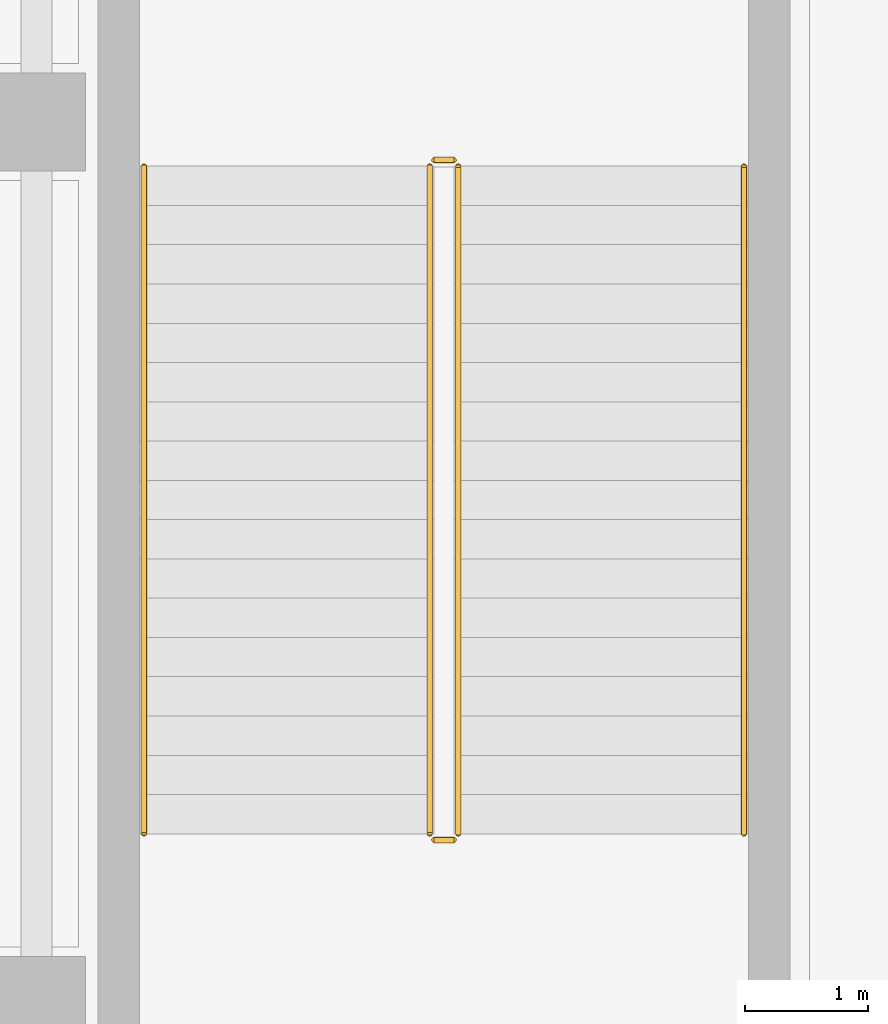
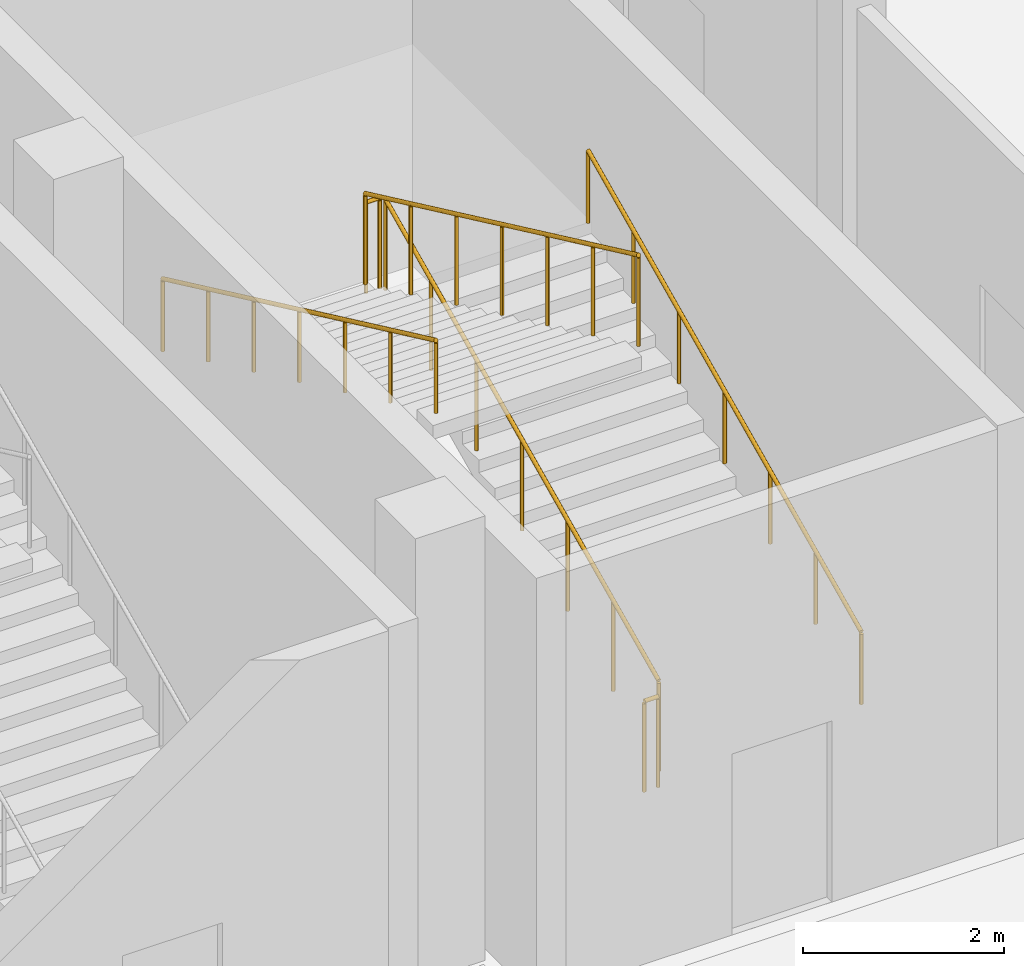
# One storey, part 135 of 137: 6 railings.
"""IFC4 building model written with IfcOpenShell, lengths in metres."""

from ifc_helpers import new_model, si_unit, direction, frame, origin, origin_2d, place, context, subcontext, project, spatial, circle, extrude, material, layer, layer_set, type_object, element, save


model = new_model("IFC4")

# Units and contexts
model_context = context("Model", 3, precision=1e-05, world=origin(), true_north=direction((0.0, 1.0)))
body_context = subcontext(model_context, "Body", "Model", "MODEL_VIEW")
ifc_project = project(units=[si_unit("LENGTHUNIT", "METRE"), si_unit("AREAUNIT", "SQUARE_METRE"), si_unit("VOLUMEUNIT", "CUBIC_METRE"), si_unit("PLANEANGLEUNIT", "RADIAN"), si_unit("MASSUNIT", "GRAM", prefix="KILO")], contexts=[model_context])

# Site, building, storey
site_placement = place(None, origin())
site = spatial("IfcSite", under=ifc_project, at=site_placement, CompositionType="ELEMENT")
building_placement = place(site_placement, origin())
building = spatial("IfcBuilding", under=site, at=building_placement, Name="Celestram Park Convention Centre", CompositionType="ELEMENT")
storey_placement = place(building_placement, origin())
storey = spatial("IfcBuildingStorey", under=building, at=storey_placement, Name="L00", CompositionType="ELEMENT", Elevation=0.0)

# Railings
ifc_material_1 = material(Name="Stainless Steel AISI 316L & Laminated Glass", Category="steel")
ifc_layer_1 = layer(ifc_material_1, 0.06005859375)
ifc_layer_set_1 = layer_set([ifc_layer_1], Name="Stainless Steel AISI 316L & Laminated Glass")
railing_type_1 = type_object("IfcRailingType", Name="ARC-RL-GRD1120", PredefinedType="GUARDRAIL", material=ifc_layer_set_1)
railing_1_placement = place(storey_placement, frame((147.43603515625, 152.60009765625, 0.14990234375)))
element("IfcRailing", 1, at=railing_1_placement, inside=storey, type_object=railing_type_1, Name="L00 ST-09 stair guard 1", PredefinedType="GUARDRAIL", context=body_context, shape_type="SweptSolid", body=[
    extrude(circle(Radius=0.02392578125, at=origin_2d()), frame((0.0, 0.0, 1.09619140625), z_axis=(0.0, 0.90545405566, 0.424444287379), x_axis=(-1.0, 0.0, 0.0)), (0.0, 0.0, 1.0), 6.008056640625),
    extrude(circle(Radius=0.02099609375, at=origin_2d()), origin(), (0.0, 0.0, 1.0), 1.072021484375),
    extrude(circle(Radius=0.02099609375, at=origin_2d()), frame((0.0, 0.90673828125, 0.425048828125)), (0.0, 0.0, 1.0), 1.072021484375),
    extrude(circle(Radius=0.02099609375, at=origin_2d()), frame((0.0, 1.813232421875, 0.85009765625)), (0.0, 0.0, 1.0), 1.072021484375),
    extrude(circle(Radius=0.02099609375, at=origin_2d()), frame((0.0, 2.719970703125, 1.27490234375)), (0.0, 0.0, 1.0), 1.072021484375),
    extrude(circle(Radius=0.02099609375, at=origin_2d()), frame((0.0, 3.626708984375, 1.699951171875)), (0.0, 0.0, 1.0), 1.072021484375),
    extrude(circle(Radius=0.02099609375, at=origin_2d()), frame((0.0, 4.533203125, 2.125)), (0.0, 0.0, 1.0), 1.072021484375),
    extrude(circle(Radius=0.02099609375, at=origin_2d()), frame((0.0, 5.43994140625, 2.550048828125)), (0.0, 0.0, 1.0), 1.072021484375),
])
railing_2_placement = place(storey_placement, frame((147.39990234375, 158.090087890625, 2.699951171875)))
element("IfcRailing", 2, at=railing_2_placement, inside=storey, type_object=railing_type_1, Name="L00 ST-09 stair guard 2", PredefinedType="GUARDRAIL", context=body_context, shape_type="SweptSolid", body=[
    extrude(circle(Radius=0.02392578125, at=origin_2d()), frame((0.0, 0.0, 1.09619140625), z_axis=(-1.0, 0.0, 0.0), x_axis=(0.0, -1.0, 0.0)), (0.0, 0.0, 1.0), 0.159912109375),
    extrude(circle(Radius=0.02099609375, at=origin_2d()), origin(), (0.0, 0.0, 1.0), 1.072021484375),
    extrude(circle(Radius=0.02099609375, at=origin_2d()), frame((-0.159912109375, 0.0, 0.0)), (0.0, 0.0, 1.0), 1.072021484375),
])
railing_3_placement = place(storey_placement, frame((147.2041015625, 158.0400390625, 2.85009765625)))
element("IfcRailing", 3, at=railing_3_placement, inside=storey, type_object=railing_type_1, Name="L00 ST-09 stair guard 3", PredefinedType="GUARDRAIL", context=body_context, shape_type="SweptSolid", body=[
    extrude(circle(Radius=0.02392578125, at=origin_2d()), frame((0.0, 0.0, 1.09619140625), z_axis=(0.0, -0.90546967238, 0.424410971113), x_axis=(1.0, 0.0, 0.0)), (0.0, 0.0, 1.0), 6.0078125),
    extrude(circle(Radius=0.02099609375, at=origin_2d()), origin(), (0.0, 0.0, 1.0), 1.072021484375),
    extrude(circle(Radius=0.02099609375, at=origin_2d()), frame((0.0, -0.90673828125, 0.425048828125)), (0.0, 0.0, 1.0), 1.072021484375),
    extrude(circle(Radius=0.02099609375, at=origin_2d()), frame((0.0, -1.813232421875, 0.849853515625)), (0.0, 0.0, 1.0), 1.072021484375),
    extrude(circle(Radius=0.02099609375, at=origin_2d()), frame((0.0, -2.719970703125, 1.27490234375)), (0.0, 0.0, 1.0), 1.072021484375),
    extrude(circle(Radius=0.02099609375, at=origin_2d()), frame((0.0, -3.626708984375, 1.699951171875)), (0.0, 0.0, 1.0), 1.072021484375),
    extrude(circle(Radius=0.02099609375, at=origin_2d()), frame((0.0, -4.533203125, 2.124755859375)), (0.0, 0.0, 1.0), 1.072021484375),
    extrude(circle(Radius=0.02099609375, at=origin_2d()), frame((0.0, -5.43994140625, 2.5498046875)), (0.0, 0.0, 1.0), 1.072021484375),
])
railing_4_placement = place(storey_placement, frame((147.39990234375, 152.550048828125, 0.0)))
element("IfcRailing", 4, at=railing_4_placement, inside=storey, type_object=railing_type_1, Name="L00 ST-09 stair guard 4", PredefinedType="GUARDRAIL", context=body_context, shape_type="SweptSolid", body=[
    extrude(circle(Radius=0.02392578125, at=origin_2d()), frame((0.0, 0.0, 1.09619140625), z_axis=(-1.0, 0.0, 0.0), x_axis=(0.0, -1.0, 0.0)), (0.0, 0.0, 1.0), 0.159912109375),
    extrude(circle(Radius=0.02099609375, at=origin_2d()), origin(), (0.0, 0.0, 1.0), 1.072021484375),
    extrude(circle(Radius=0.02099609375, at=origin_2d()), frame((-0.159912109375, 0.0, 0.0)), (0.0, 0.0, 1.0), 1.072021484375),
])
ifc_material_2 = material(Name="Brushed Stainless Steel AISI 304", Category="steel")
ifc_layer_2 = layer(ifc_material_2, 0.048095703125)
ifc_layer_set_2 = layer_set([ifc_layer_2], Name="Brushed Stainless Steel AISI 304")
railing_type_2 = type_object("IfcRailingType", Name="ARC-RL-HND915", PredefinedType="HANDRAIL", material=ifc_layer_set_2)
railing_5_placement = place(storey_placement, frame((149.763916015625, 152.60009765625, 0.14990234375)))
element("IfcRailing", 5, at=railing_5_placement, inside=storey, type_object=railing_type_2, Name="L00 ST-09 stair handrail 1", PredefinedType="HANDRAIL", context=body_context, shape_type="SweptSolid", body=[
    extrude(circle(Radius=0.02392578125, at=origin_2d()), frame((0.0, 0.0, 0.8759765625), z_axis=(0.0, 0.90545405566, 0.424444287379), x_axis=(-1.0, 0.0, 0.0)), (0.0, 0.0, 1.0), 6.008056640625),
    extrude(circle(Radius=0.02099609375, at=origin_2d()), origin(), (0.0, 0.0, 1.0), 0.851806640625),
    extrude(circle(Radius=0.02099609375, at=origin_2d()), frame((0.0, 0.90673828125, 0.425048828125)), (0.0, 0.0, 1.0), 0.851806640625),
    extrude(circle(Radius=0.02099609375, at=origin_2d()), frame((0.0, 1.813232421875, 0.85009765625)), (0.0, 0.0, 1.0), 0.851806640625),
    extrude(circle(Radius=0.02099609375, at=origin_2d()), frame((0.0, 2.719970703125, 1.27490234375)), (0.0, 0.0, 1.0), 0.851806640625),
    extrude(circle(Radius=0.02099609375, at=origin_2d()), frame((0.0, 3.626708984375, 1.699951171875)), (0.0, 0.0, 1.0), 0.851806640625),
    extrude(circle(Radius=0.02099609375, at=origin_2d()), frame((0.0, 4.533203125, 2.125)), (0.0, 0.0, 1.0), 0.851806640625),
    extrude(circle(Radius=0.02099609375, at=origin_2d()), frame((0.0, 5.43994140625, 2.550048828125)), (0.0, 0.0, 1.0), 0.851806640625),
])
railing_6_placement = place(storey_placement, frame((144.8759765625, 158.0400390625, 2.85009765625)))
element("IfcRailing", 6, at=railing_6_placement, inside=storey, type_object=railing_type_2, Name="L00 ST-09 stair handrail 2", PredefinedType="HANDRAIL", context=body_context, shape_type="SweptSolid", body=[
    extrude(circle(Radius=0.02392578125, at=origin_2d()), frame((0.0, 0.0, 0.8759765625), z_axis=(0.0, -0.90546967238, 0.424410971113), x_axis=(1.0, 0.0, 0.0)), (0.0, 0.0, 1.0), 6.0078125),
    extrude(circle(Radius=0.02099609375, at=origin_2d()), origin(), (0.0, 0.0, 1.0), 0.851806640625),
    extrude(circle(Radius=0.02099609375, at=origin_2d()), frame((0.0, -0.90673828125, 0.425048828125)), (0.0, 0.0, 1.0), 0.851806640625),
    extrude(circle(Radius=0.02099609375, at=origin_2d()), frame((0.0, -1.813232421875, 0.849853515625)), (0.0, 0.0, 1.0), 0.851806640625),
    extrude(circle(Radius=0.02099609375, at=origin_2d()), frame((0.0, -2.719970703125, 1.27490234375)), (0.0, 0.0, 1.0), 0.851806640625),
    extrude(circle(Radius=0.02099609375, at=origin_2d()), frame((0.0, -3.626708984375, 1.699951171875)), (0.0, 0.0, 1.0), 0.851806640625),
    extrude(circle(Radius=0.02099609375, at=origin_2d()), frame((0.0, -4.533203125, 2.124755859375)), (0.0, 0.0, 1.0), 0.851806640625),
    extrude(circle(Radius=0.02099609375, at=origin_2d()), frame((0.0, -5.43994140625, 2.5498046875)), (0.0, 0.0, 1.0), 0.851806640625),
])

save(model, "model.ifc")
